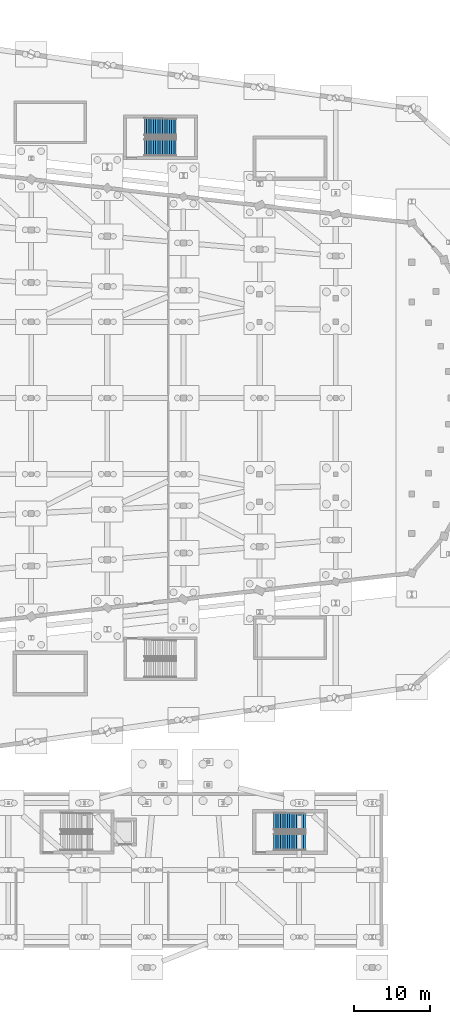
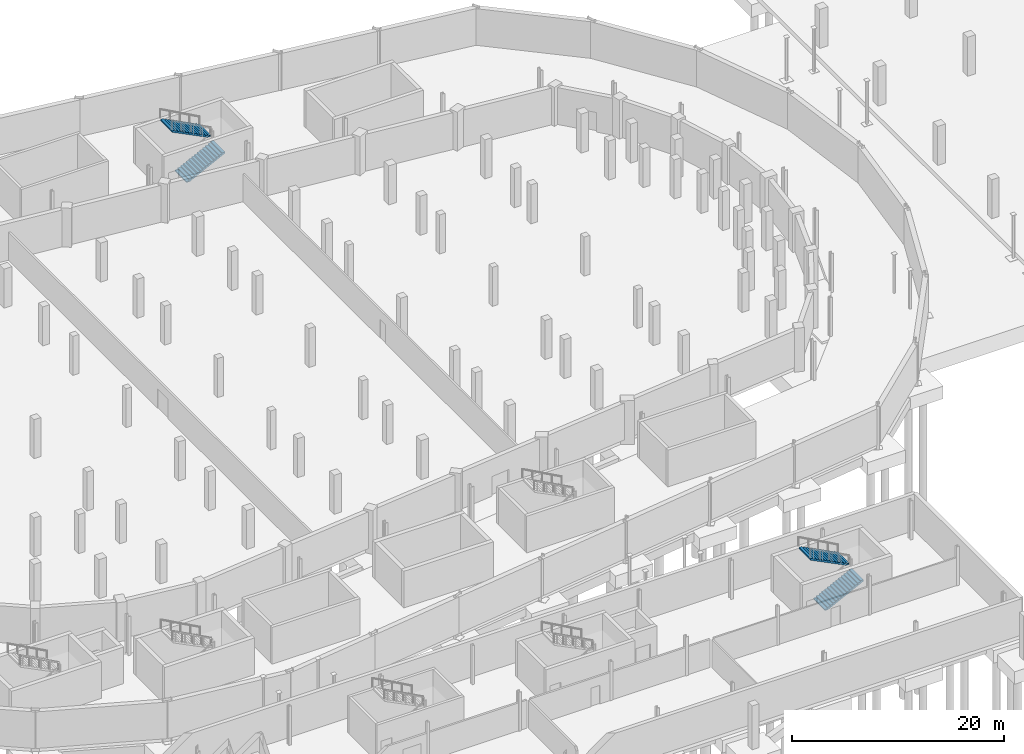
# One storey, part 52 of 55: 4 stair flights, 2 elements without a shape of their own.
"""IFC4 building model written with IfcOpenShell, lengths in metres."""

from ifc_helpers import new_model, si_unit, direction, frame, origin, place, context, subcontext, project, spatial, polyline, outline, extrude, material, type_object, element, aggregate, save


model = new_model("IFC4")

# Units and contexts
model_context = context("Model", 3, precision=1e-05, world=origin(), true_north=direction((0.0, 1.0)))
body_context = subcontext(model_context, "Body", "Model", "MODEL_VIEW")
ifc_project = project(units=[si_unit("LENGTHUNIT", "METRE"), si_unit("AREAUNIT", "SQUARE_METRE"), si_unit("VOLUMEUNIT", "CUBIC_METRE"), si_unit("PLANEANGLEUNIT", "RADIAN"), si_unit("MASSUNIT", "GRAM", prefix="KILO")], contexts=[model_context])

# Site, building, storey
site_placement = place(None, origin())
site = spatial("IfcSite", under=ifc_project, at=site_placement, CompositionType="ELEMENT")
building_placement = place(site_placement, origin())
building = spatial("IfcBuilding", under=site, at=building_placement, Name="Sohan Crest Arena", CompositionType="ELEMENT")
storey_placement = place(building_placement, frame((0.0, 0.0, -4.5)))
storey = spatial("IfcBuildingStorey", under=building, at=storey_placement, Name="B1", CompositionType="ELEMENT", Elevation=-4.5)

# Stair, stair flights
ifc_material = material(Name="Concrete C40/50", Category="concrete")
stair_type = type_object("IfcStairType", Name="ST-450W", PredefinedType="TWO_STRAIGHT_RUN_STAIR", material=ifc_material)
stair_1_placement = place(storey_placement, origin())
stair_1 = element("IfcStair", 1, at=stair_1_placement, inside=storey, type_object=stair_type, Name="Protected exit stair ST11-B1", PredefinedType="TWO_STRAIGHT_RUN_STAIR")
stair_flight_type = type_object("IfcStairFlightType", Name="FL-220-15", PredefinedType="STRAIGHT", material=ifc_material)
stair_flight_1_placement = place(storey_placement, frame((149.85009765625, 19.64990234375, 0.0), z_axis=(0.0, 0.0, 1.0), x_axis=(1.0, 0.0, 0.0)))
stair_flight_1 = element("IfcStairFlight", 2, at=stair_flight_1_placement, type_object=stair_flight_type, Name="ST11-B1 flight 1", NumberOfRisers=15, NumberOfTreads=14, PredefinedType="STRAIGHT", RiserHeight=0.15, TreadLength=0.3, context=body_context, shape_type="SweptSolid", body=[
    extrude(outline(polyline([(0.0, 0.0), (0.0, 0.14990234375), (0.300048828125, 0.14990234375), (0.300048828125, 0.300048828125), (0.60009765625, 0.300048828125), (0.60009765625, 0.449951171875), (0.89990234375, 0.449951171875), (0.89990234375, 0.60009765625), (1.199951171875, 0.60009765625), (1.199951171875, 0.75), (1.5, 0.75), (1.5, 0.89990234375), (1.800048828125, 0.89990234375), (1.800048828125, 1.050048828125), (2.10009765625, 1.050048828125), (2.10009765625, 1.199951171875), (2.39990234375, 1.199951171875), (2.39990234375, 1.35009765625), (2.699951171875, 1.35009765625), (2.699951171875, 1.5), (3.0, 1.5), (3.0, 1.64990234375), (3.300048828125, 1.64990234375), (3.300048828125, 1.800048828125), (3.60009765625, 1.800048828125), (3.60009765625, 1.949951171875), (3.89990234375, 1.949951171875), (3.89990234375, 2.10009765625), (4.199951171875, 2.10009765625), (4.199951171875, 2.25), (4.199951171875, 1.932373046875), (0.335205078125, 0.0), (0.0, 0.0)])), frame((0.0, 1.10009765625, 0.0), z_axis=(0.0, -1.0, 0.0), x_axis=(1.0, 0.0, 0.0)), (0.0, 0.0, 1.0), 2.199951171875),
])
stair_flight_2_placement = place(storey_placement, frame((154.050048828125, 22.35009765625, 2.25), z_axis=(0.0, 0.0, 1.0), x_axis=(-1.0, 0.0, 0.0)))
stair_flight_2 = element("IfcStairFlight", 3, at=stair_flight_2_placement, type_object=stair_flight_type, Name="ST11-B1 flight 2", NumberOfRisers=15, NumberOfTreads=14, PredefinedType="STRAIGHT", RiserHeight=0.15, TreadLength=0.3, context=body_context, shape_type="SweptSolid", body=[
    extrude(outline(polyline([(0.0, 0.0), (0.0, 0.14990234375), (0.300048828125, 0.14990234375), (0.300048828125, 0.300048828125), (0.60009765625, 0.300048828125), (0.60009765625, 0.449951171875), (0.89990234375, 0.449951171875), (0.89990234375, 0.60009765625), (1.199951171875, 0.60009765625), (1.199951171875, 0.75), (1.5, 0.75), (1.5, 0.89990234375), (1.800048828125, 0.89990234375), (1.800048828125, 1.050048828125), (2.10009765625, 1.050048828125), (2.10009765625, 1.199951171875), (2.39990234375, 1.199951171875), (2.39990234375, 1.35009765625), (2.699951171875, 1.35009765625), (2.699951171875, 1.5), (3.0, 1.5), (3.0, 1.64990234375), (3.300048828125, 1.64990234375), (3.300048828125, 1.800048828125), (3.60009765625, 1.800048828125), (3.60009765625, 1.949951171875), (3.89990234375, 1.949951171875), (3.89990234375, 2.10009765625), (4.199951171875, 2.10009765625), (4.199951171875, 2.25), (4.199951171875, 1.932373046875), (0.335205078125, 0.0), (0.0, 0.0)])), frame((0.0, 1.10009765625, 0.0), z_axis=(0.0, -1.0, 0.0), x_axis=(1.0, 0.0, 0.0)), (0.0, 0.0, 1.0), 2.199951171875),
])
aggregate(stair_1, [stair_flight_1, stair_flight_2])

stair_2_placement = place(storey_placement, origin())
stair_2 = element("IfcStair", 4, at=stair_2_placement, inside=storey, type_object=stair_type, Name="Protected exit stair ST22-B1", PredefinedType="TWO_STRAIGHT_RUN_STAIR")
stair_flight_3_placement = place(storey_placement, frame((132.85009765625, 110.89990234375, 0.0), z_axis=(0.0, 0.0, 1.0), x_axis=(1.0, 0.0, 0.0)))
stair_flight_3 = element("IfcStairFlight", 5, at=stair_flight_3_placement, type_object=stair_flight_type, Name="ST22-B1 flight 1", NumberOfRisers=15, NumberOfTreads=14, PredefinedType="STRAIGHT", RiserHeight=0.15, TreadLength=0.3, context=body_context, shape_type="SweptSolid", body=[
    extrude(outline(polyline([(0.0, 0.0), (0.0, 0.14990234375), (0.300048828125, 0.14990234375), (0.300048828125, 0.300048828125), (0.60009765625, 0.300048828125), (0.60009765625, 0.449951171875), (0.89990234375, 0.449951171875), (0.89990234375, 0.60009765625), (1.199951171875, 0.60009765625), (1.199951171875, 0.75), (1.5, 0.75), (1.5, 0.89990234375), (1.800048828125, 0.89990234375), (1.800048828125, 1.050048828125), (2.10009765625, 1.050048828125), (2.10009765625, 1.199951171875), (2.39990234375, 1.199951171875), (2.39990234375, 1.35009765625), (2.699951171875, 1.35009765625), (2.699951171875, 1.5), (3.0, 1.5), (3.0, 1.64990234375), (3.300048828125, 1.64990234375), (3.300048828125, 1.800048828125), (3.60009765625, 1.800048828125), (3.60009765625, 1.949951171875), (3.89990234375, 1.949951171875), (3.89990234375, 2.10009765625), (4.199951171875, 2.10009765625), (4.199951171875, 2.25), (4.199951171875, 1.932373046875), (0.335205078125, 0.0), (0.0, 0.0)])), frame((0.0, 1.10009765625, 0.0), z_axis=(0.0, -1.0, 0.0), x_axis=(1.0, 0.0, 0.0)), (0.0, 0.0, 1.0), 2.199951171875),
])
stair_flight_4_placement = place(storey_placement, frame((137.050048828125, 113.60009765625, 2.25), z_axis=(0.0, 0.0, 1.0), x_axis=(-1.0, 0.0, 0.0)))
stair_flight_4 = element("IfcStairFlight", 6, at=stair_flight_4_placement, type_object=stair_flight_type, Name="ST22-B1 flight 2", NumberOfRisers=15, NumberOfTreads=14, PredefinedType="STRAIGHT", RiserHeight=0.15, TreadLength=0.3, context=body_context, shape_type="SweptSolid", body=[
    extrude(outline(polyline([(0.0, 0.0), (0.0, 0.14990234375), (0.300048828125, 0.14990234375), (0.300048828125, 0.300048828125), (0.60009765625, 0.300048828125), (0.60009765625, 0.449951171875), (0.89990234375, 0.449951171875), (0.89990234375, 0.60009765625), (1.199951171875, 0.60009765625), (1.199951171875, 0.75), (1.5, 0.75), (1.5, 0.89990234375), (1.800048828125, 0.89990234375), (1.800048828125, 1.050048828125), (2.10009765625, 1.050048828125), (2.10009765625, 1.199951171875), (2.39990234375, 1.199951171875), (2.39990234375, 1.35009765625), (2.699951171875, 1.35009765625), (2.699951171875, 1.5), (3.0, 1.5), (3.0, 1.64990234375), (3.300048828125, 1.64990234375), (3.300048828125, 1.800048828125), (3.60009765625, 1.800048828125), (3.60009765625, 1.949951171875), (3.89990234375, 1.949951171875), (3.89990234375, 2.10009765625), (4.199951171875, 2.10009765625), (4.199951171875, 2.25), (4.199951171875, 1.932373046875), (0.335205078125, 0.0), (0.0, 0.0)])), frame((0.0, 1.10009765625, 0.0), z_axis=(0.0, -1.0, 0.0), x_axis=(1.0, 0.0, 0.0)), (0.0, 0.0, 1.0), 2.199951171875),
])
aggregate(stair_2, [stair_flight_3, stair_flight_4])

save(model, "model.ifc")
